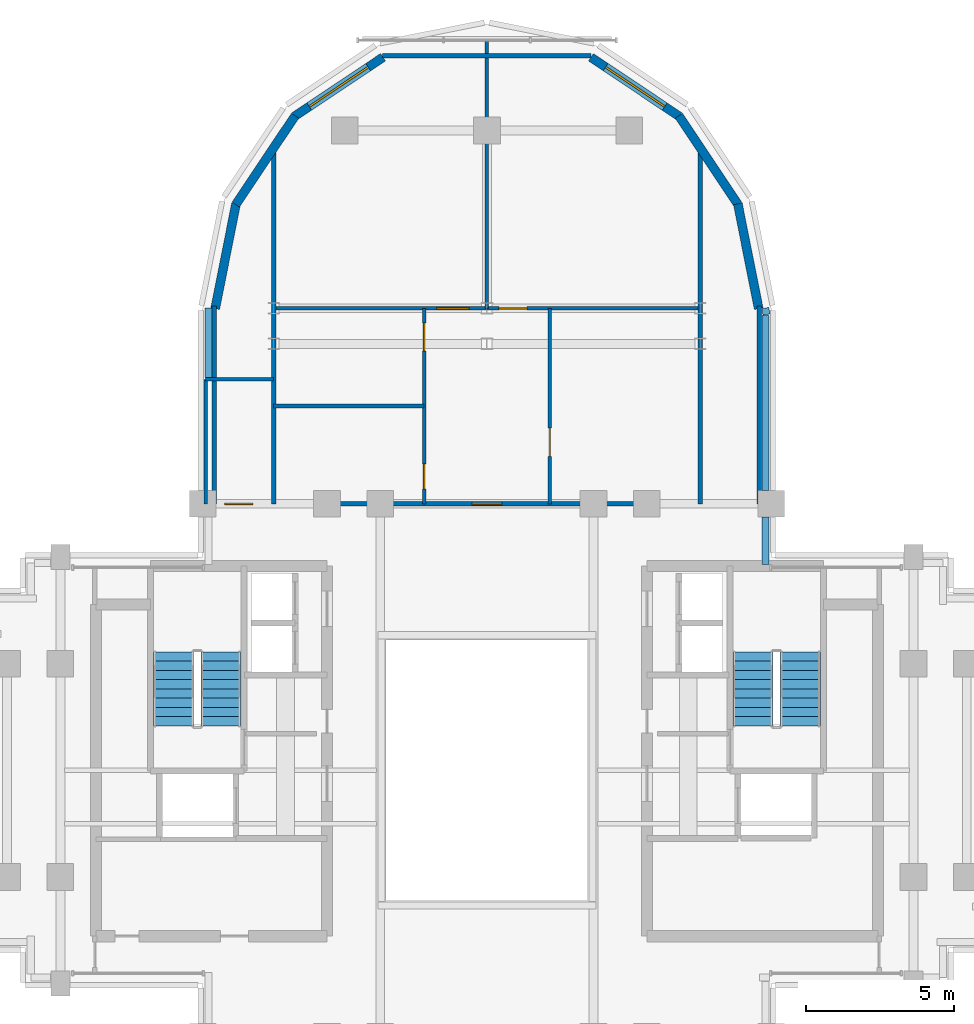
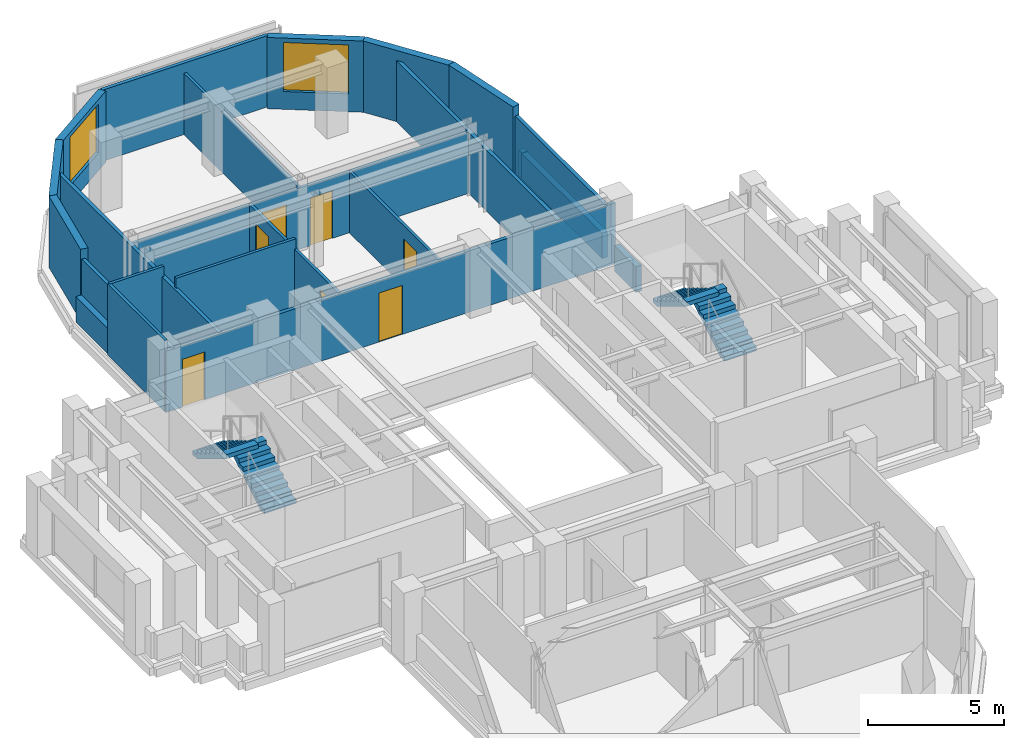
# One storey, part 8 of 11: 23 walls, 7 doors, 4 stair flights, 2 windows, 9 openings, 2 elements without a shape of their own.
"""IFC4 building model written with IfcOpenShell, lengths in metres."""

from ifc_helpers import new_model, si_unit, direction, frame, frame_2d, origin, place, context, subcontext, project, spatial, polyline, rectangle, outline, extrude, source, transform, mapped, material, layer, layer_set, type_object, element, fill, aggregate, save


model = new_model("IFC4")

# Units and contexts
model_context = context("Model", 3, precision=1e-05, world=origin(), true_north=direction((0.0, 1.0)))
body_context = subcontext(model_context, "Body", "Model", "MODEL_VIEW")
ifc_project = project(units=[si_unit("LENGTHUNIT", "METRE"), si_unit("AREAUNIT", "SQUARE_METRE"), si_unit("VOLUMEUNIT", "CUBIC_METRE"), si_unit("PLANEANGLEUNIT", "RADIAN"), si_unit("MASSUNIT", "GRAM", prefix="KILO")], contexts=[model_context])

# Site, building, storey
site_placement = place(None, origin())
site = spatial("IfcSite", under=ifc_project, at=site_placement, CompositionType="ELEMENT")
building_placement = place(site_placement, origin())
building = spatial("IfcBuilding", under=site, at=building_placement, Name="Keilestroom Media Tower", CompositionType="ELEMENT")
storey_placement = place(building_placement, frame((0.0, 0.0, 208.0)))
storey = spatial("IfcBuildingStorey", under=building, at=storey_placement, Name="L57", CompositionType="ELEMENT", Elevation=208.0)

# Walls
ifc_material_1 = material(Name="Precast concrete C40/50", Category="concrete")
ifc_layer_1 = layer(ifc_material_1, 0.300048828125)
ifc_layer_set_1 = layer_set([ifc_layer_1], Name="Precast concrete C40/50")
wall_type_1 = type_object("IfcWallType", Name="Exterior-Masonry-Spandrel-Wall-300", PredefinedType="SOLIDWALL", material=ifc_layer_set_1)
for number, where, z_axis, x_axis, name in (
    (1, (9.1748046875, 15.585205078125, 0.0), (0.0, 0.0, 1.0), (-0.195114232679, 0.980780523974, 0.0), "L57 Lobe Facet Precast Frame Wall 01"),
    (2, (8.48193359375, 19.097412109375, 0.0), (0.0, 0.0, 1.0), (-0.555574187116, 0.831466970246, 0.0), "L57 Lobe Facet Precast Frame Wall 02"),
):
    element("IfcWall", number, at=place(storey_placement, frame(where, z_axis=z_axis, x_axis=x_axis)), inside=storey, type_object=wall_type_1, Name=name, PredefinedType="SOLIDWALL", context=body_context, shape_type="SweptSolid", body=[
        extrude(rectangle(XDim=3.608642578125, YDim=0.300048828125, at=frame_2d((1.80419921875, 0.0))), origin(), (0.0, 0.0, 1.0), 3.199951171875),
    ])

# Wall, opening, window
wall_1_placement = place(storey_placement, frame((6.497802734375, 22.0771484375, 0.0), z_axis=(0.0, 0.0, 1.0), x_axis=(-0.8314749531, 0.555562239868, 0.0)))
wall_1 = element("IfcWall", 3, at=wall_1_placement, inside=storey, type_object=wall_type_1, Name="L57 Lobe Facet Precast Frame Wall 03", PredefinedType="SOLIDWALL", context=body_context, shape_type="SweptSolid", body=[
    extrude(rectangle(XDim=3.59326171875, YDim=0.300048828125, at=frame_2d((1.796630859375, 0.0))), origin(), (0.0, 0.0, 1.0), 3.199951171875),
])
opening_1_placement = place(wall_1_placement, frame((0.596923828125, 0.0, 0.800048828125)))
opening_1 = element("IfcOpeningElement", 4, at=opening_1_placement, cuts=wall_1, Name="Opening WN-02", PredefinedType="OPENING", context=body_context, shape_type="SweptSolid", body=[
    extrude(rectangle(XDim=2.39990234375, YDim=2.199951171875, at=frame_2d((1.199951171875, 1.10009765625))), frame((0.0, 0.16015625, 0.0), z_axis=(0.0, -1.0, 0.0), x_axis=(1.0, 0.0, 0.0)), (0.0, 0.0, 1.0), 0.320068359375),
])
ifc_material_2 = material(Name="Triple Glazed Low-E Window Unit", Category="glass")
window_type = type_object("IfcWindowType", Name="Recessed-Punched-Window-WN-02", PartitioningType="DOUBLE_PANEL_VERTICAL", PredefinedType="WINDOW", material=ifc_material_2)
shared_shape_1 = source(origin(), body_context, "Body", "SweptSolid", [
    extrude(rectangle(XDim=2.39990234375, YDim=2.199951171875, at=frame_2d((1.199951171875, 1.10009765625))), frame((0.0, 0.030029296875, 0.0), z_axis=(0.0, -1.0, 0.0), x_axis=(1.0, 0.0, 0.0)), (0.0, 0.0, 1.0), 0.06005859375),
])
window_1_placement = place(opening_1_placement, origin())
window_1 = element("IfcWindow", 5, at=window_1_placement, inside=storey, type_object=window_type, Name="L57 Bedroom Lobe Window WN-02 EWL-L57-LCHK-03", OverallHeight=2.199951171875, OverallWidth=2.39990234375, PartitioningType="SINGLE_PANEL", PredefinedType="WINDOW", context=body_context, shape_type="MappedRepresentation", body=[
    mapped(shared_shape_1, transform((0.0, 0.0, 0.0), x_axis=(1.0, 0.0, 0.0), y_axis=(0.0, 1.0, 0.0), z_axis=(0.0, 0.0, 1.0), scale=1.0)),
])
fill(opening_1, window_1)

wall_2_placement = place(storey_placement, frame((-3.510009765625, 24.073486328125, 0.0), z_axis=(0.0, 0.0, 1.0), x_axis=(-0.8314749531, -0.555562239868, 0.0)))
wall_2 = element("IfcWall", 6, at=wall_2_placement, inside=storey, type_object=wall_type_1, Name="L57 Lobe Facet Precast Frame Wall 04", PredefinedType="SOLIDWALL", context=body_context, shape_type="SweptSolid", body=[
    extrude(rectangle(XDim=3.59326171875, YDim=0.300048828125, at=frame_2d((1.796630859375, 0.0))), origin(), (0.0, 0.0, 1.0), 3.199951171875),
])
opening_2_placement = place(wall_2_placement, frame((0.596923828125, 0.0, 0.800048828125)))
opening_2 = element("IfcOpeningElement", 7, at=opening_2_placement, cuts=wall_2, Name="Opening WN-02", PredefinedType="OPENING", context=body_context, shape_type="SweptSolid", body=[
    extrude(rectangle(XDim=2.39990234375, YDim=2.199951171875, at=frame_2d((1.199951171875, 1.10009765625))), frame((0.0, 0.16015625, 0.0), z_axis=(0.0, -1.0, 0.0), x_axis=(1.0, 0.0, 0.0)), (0.0, 0.0, 1.0), 0.320068359375),
])
window_2_placement = place(opening_2_placement, origin())
window_2 = element("IfcWindow", 8, at=window_2_placement, inside=storey, type_object=window_type, Name="L57 Bedroom Lobe Window WN-02 EWL-L57-LCHK-04", OverallHeight=2.199951171875, OverallWidth=2.39990234375, PartitioningType="SINGLE_PANEL", PredefinedType="WINDOW", context=body_context, shape_type="MappedRepresentation", body=[
    mapped(shared_shape_1, transform((0.0, 0.0, 0.0), x_axis=(1.0, 0.0, 0.0), y_axis=(0.0, 1.0, 0.0), z_axis=(0.0, 0.0, 1.0), scale=1.0)),
])
fill(opening_2, window_2)

# Walls
for number, where, z_axis, x_axis, name in (
    (9, (-6.47705078125, 22.097900390625, 0.0), (0.0, 0.0, 1.0), (-0.555574187116, -0.831466970246, 0.0), "L57 Lobe Facet Precast Frame Wall 05"),
    (10, (-8.470703125, 19.12451171875, 0.0), (0.0, 0.0, 1.0), (-0.195114232679, -0.980780523974, 0.0), "L57 Lobe Facet Precast Frame Wall 06"),
):
    element("IfcWall", number, at=place(storey_placement, frame(where, z_axis=z_axis, x_axis=x_axis)), inside=storey, type_object=wall_type_1, Name=name, PredefinedType="SOLIDWALL", context=body_context, shape_type="SweptSolid", body=[
        extrude(rectangle(XDim=3.608642578125, YDim=0.300048828125, at=frame_2d((1.80419921875, 0.0))), origin(), (0.0, 0.0, 1.0), 3.199951171875),
    ])

# Wall, openings, doors
ifc_material_3 = material(Name="Gypsum Plasterboard & Steel Stud", Category="steel")
ifc_layer_2 = layer(ifc_material_3, 0.1201171875)
ifc_layer_set_2 = layer_set([ifc_layer_2], Name="Gypsum Plasterboard & Steel Stud")
wall_type_2 = type_object("IfcWallType", Name="Interior-Partition-Wall-120", PredefinedType="PARTITIONING", material=ifc_layer_set_2)
wall_3_placement = place(storey_placement, frame((-2.1201171875, 9.0, 0.0), z_axis=(0.0, 0.0, 1.0), x_axis=(0.0, 1.0, 0.0)))
wall_3 = element("IfcWall", 11, at=wall_3_placement, inside=storey, type_object=wall_type_2, Name="L57 Interior Wall WP-L57-FW-N-HW", PredefinedType="PARTITIONING", context=body_context, shape_type="SweptSolid", body=[
    extrude(rectangle(XDim=6.60009765625, YDim=0.1201171875, at=frame_2d((3.300048828125, 0.0))), origin(), (0.0, 0.0, 1.0), 2.75),
])
opening_3_placement = place(wall_3_placement, frame((0.5, 0.0, 0.0)))
opening_3 = element("IfcOpeningElement", 12, at=opening_3_placement, cuts=wall_3, Name="Opening DI-05", PredefinedType="OPENING", context=body_context, shape_type="SweptSolid", body=[
    extrude(rectangle(XDim=0.85009765625, YDim=2.10009765625, at=frame_2d((0.425048828125, 1.050048828125))), frame((0.0, 0.070068359375, 0.0), z_axis=(0.0, -1.0, 0.0), x_axis=(1.0, 0.0, 0.0)), (0.0, 0.0, 1.0), 0.14013671875),
])
opening_4_placement = place(wall_3_placement, frame((5.14990234375, 0.0, 0.0)))
opening_4 = element("IfcOpeningElement", 13, at=opening_4_placement, cuts=wall_3, Name="Opening DI-03", PredefinedType="OPENING", context=body_context, shape_type="SweptSolid", body=[
    extrude(rectangle(XDim=0.949951171875, YDim=2.14990234375, at=frame_2d((0.47509765625, 1.074951171875))), frame((0.0, 0.070068359375, 0.0), z_axis=(0.0, -1.0, 0.0), x_axis=(1.0, 0.0, 0.0)), (0.0, 0.0, 1.0), 0.14013671875),
])
ifc_material_4 = material(Name="Lacquered European Oak Leaf", Category="wood")
door_type_1 = type_object("IfcDoorType", Name="Interior-Room-And-Suite-Door-DI-03", OperationType="NOTDEFINED", PredefinedType="DOOR", material=ifc_material_4)
shared_shape_2 = source(origin(), body_context, "Body", "SweptSolid", [
    extrude(rectangle(XDim=0.949951171875, YDim=2.14990234375, at=frame_2d((0.47509765625, 1.074951171875))), frame((0.0, 0.02490234375, 0.0), z_axis=(0.0, -1.0, 0.0), x_axis=(1.0, 0.0, 0.0)), (0.0, 0.0, 1.0), 0.050048828125),
])
door_1_placement = place(opening_4_placement, origin())
door_1 = element("IfcDoor", 14, at=door_1_placement, inside=storey, type_object=door_type_1, Name="L57 Interior Door DI-L57-DFBD2-N", OperationType="SINGLE_SWING_LEFT", OverallHeight=2.14990234375, OverallWidth=0.949951171875, PredefinedType="DOOR", context=body_context, shape_type="MappedRepresentation", body=[
    mapped(shared_shape_2, transform((0.0, 0.0, 0.0), x_axis=(1.0, 0.0, 0.0), y_axis=(0.0, 1.0, 0.0), z_axis=(0.0, 0.0, 1.0), scale=1.0)),
])
fill(opening_4, door_1)
ifc_material_5 = material(Name="Moisture-Resistant Oak Leaf", Category="wood")
door_type_2 = type_object("IfcDoorType", Name="Interior-En-Suite-And-Cupboard-Door-DI-05", OperationType="NOTDEFINED", PredefinedType="DOOR", material=ifc_material_5)
shared_shape_3 = source(origin(), body_context, "Body", "SweptSolid", [
    extrude(rectangle(XDim=0.85009765625, YDim=2.10009765625, at=frame_2d((0.425048828125, 1.050048828125))), frame((0.0, 0.02490234375, 0.0), z_axis=(0.0, -1.0, 0.0), x_axis=(1.0, 0.0, 0.0)), (0.0, 0.0, 1.0), 0.050048828125),
])
door_2_placement = place(opening_3_placement, origin())
door_2 = element("IfcDoor", 15, at=door_2_placement, inside=storey, type_object=door_type_2, Name="L57 Interior Door DI-L57-DFBTH-N", OperationType="SINGLE_SWING_RIGHT", OverallHeight=2.10009765625, OverallWidth=0.85009765625, PredefinedType="DOOR", context=body_context, shape_type="MappedRepresentation", body=[
    mapped(shared_shape_3, transform((0.0, 0.0, 0.0), x_axis=(1.0, 0.0, 0.0), y_axis=(0.0, 1.0, 0.0), z_axis=(0.0, 0.0, 1.0), scale=1.0)),
])
fill(opening_3, door_2)

# Wall
wall_4_placement = place(storey_placement, frame((-7.199951171875, 12.300048828125, 0.0), z_axis=(0.0, 0.0, 1.0), x_axis=(1.0, 0.0, 0.0)))
element("IfcWall", 16, at=wall_4_placement, inside=storey, type_object=wall_type_2, Name="L57 Interior Wall WP-L57-FW-N-HB", PredefinedType="PARTITIONING", context=body_context, shape_type="SweptSolid", body=[
    extrude(rectangle(XDim=5.079833984375, YDim=0.1201171875, at=frame_2d((2.5400390625, 0.0))), origin(), (0.0, 0.0, 1.0), 3.199951171875),
])

# Wall, opening, door
wall_5_placement = place(storey_placement, frame((2.1201171875, 9.0, 0.0), z_axis=(0.0, 0.0, 1.0), x_axis=(0.0, 1.0, 0.0)))
wall_5 = element("IfcWall", 17, at=wall_5_placement, inside=storey, type_object=wall_type_2, Name="L57 Interior Wall WP-L57-FW-N-HE", PredefinedType="PARTITIONING", context=body_context, shape_type="SweptSolid", body=[
    extrude(rectangle(XDim=6.60009765625, YDim=0.1201171875, at=frame_2d((3.300048828125, 0.0))), origin(), (0.0, 0.0, 1.0), 2.75),
])
opening_5_placement = place(wall_5_placement, frame((1.60009765625, 0.0, 0.0)))
opening_5 = element("IfcOpeningElement", 18, at=opening_5_placement, cuts=wall_5, Name="Opening DI-03", PredefinedType="OPENING", context=body_context, shape_type="SweptSolid", body=[
    extrude(rectangle(XDim=0.949951171875, YDim=2.14990234375, at=frame_2d((0.47509765625, 1.074951171875))), frame((0.0, 0.070068359375, 0.0), z_axis=(0.0, -1.0, 0.0), x_axis=(1.0, 0.0, 0.0)), (0.0, 0.0, 1.0), 0.14013671875),
])
door_3_placement = place(opening_5_placement, origin())
door_3 = element("IfcDoor", 19, at=door_3_placement, inside=storey, type_object=door_type_1, Name="L57 Interior Door DI-L57-DFKIT-N", OperationType="SINGLE_SWING_RIGHT", OverallHeight=2.14990234375, OverallWidth=0.949951171875, PredefinedType="DOOR", context=body_context, shape_type="MappedRepresentation", body=[
    mapped(shared_shape_2, transform((0.0, 0.0, 0.0), x_axis=(1.0, 0.0, 0.0), y_axis=(0.0, 1.0, 0.0), z_axis=(0.0, 0.0, 1.0), scale=1.0)),
])
fill(opening_5, door_3)

# Wall, openings, doors
wall_6_placement = place(storey_placement, frame((-7.199951171875, 15.60009765625, 0.0), z_axis=(0.0, 0.0, 1.0), x_axis=(1.0, 0.0, 0.0)))
wall_6 = element("IfcWall", 20, at=wall_6_placement, inside=storey, type_object=wall_type_2, Name="L57 Interior Wall WP-L57-FW-N-MID", PredefinedType="PARTITIONING", context=body_context, shape_type="SweptSolid", body=[
    extrude(rectangle(XDim=14.39990234375, YDim=0.1201171875, at=frame_2d((7.199951171875, 0.0))), origin(), (0.0, 0.0, 1.0), 2.75),
])
opening_6_placement = place(wall_6_placement, frame((5.5, 0.0, 0.0)))
opening_6 = element("IfcOpeningElement", 21, at=opening_6_placement, cuts=wall_6, Name="Opening DI-04", PredefinedType="OPENING", context=body_context, shape_type="SweptSolid", body=[
    extrude(rectangle(XDim=1.10009765625, YDim=2.199951171875, at=frame_2d((0.550048828125, 1.10009765625))), frame((0.0, 0.070068359375, 0.0), z_axis=(0.0, -1.0, 0.0), x_axis=(1.0, 0.0, 0.0)), (0.0, 0.0, 1.0), 0.14013671875),
])
opening_7_placement = place(wall_6_placement, frame((7.60009765625, 0.0, 0.0)))
opening_7 = element("IfcOpeningElement", 22, at=opening_7_placement, cuts=wall_6, Name="Opening DI-03", PredefinedType="OPENING", context=body_context, shape_type="SweptSolid", body=[
    extrude(rectangle(XDim=0.949951171875, YDim=2.14990234375, at=frame_2d((0.47509765625, 1.074951171875))), frame((0.0, 0.070068359375, 0.0), z_axis=(0.0, -1.0, 0.0), x_axis=(1.0, 0.0, 0.0)), (0.0, 0.0, 1.0), 0.14013671875),
])
door_4_placement = place(opening_7_placement, origin())
door_4 = element("IfcDoor", 23, at=door_4_placement, inside=storey, type_object=door_type_1, Name="L57 Interior Door DI-L57-DFBD1-N", OperationType="SINGLE_SWING_RIGHT", OverallHeight=2.14990234375, OverallWidth=0.949951171875, PredefinedType="DOOR", context=body_context, shape_type="MappedRepresentation", body=[
    mapped(shared_shape_2, transform((0.0, 0.0, 0.0), x_axis=(1.0, 0.0, 0.0), y_axis=(0.0, 1.0, 0.0), z_axis=(0.0, 0.0, 1.0), scale=1.0)),
])
fill(opening_7, door_4)
ifc_material_6 = material(Name="Acoustic Glazed Aluminium Leaf", Category="aluminium")
door_type_3 = type_object("IfcDoorType", Name="Interior-Room-And-Suite-Door-DI-04", OperationType="NOTDEFINED", PredefinedType="DOOR", material=ifc_material_6)
shared_shape_4 = source(origin(), body_context, "Body", "SweptSolid", [
    extrude(rectangle(XDim=1.10009765625, YDim=2.199951171875, at=frame_2d((0.550048828125, 1.10009765625))), frame((0.0, 0.02490234375, 0.0), z_axis=(0.0, -1.0, 0.0), x_axis=(1.0, 0.0, 0.0)), (0.0, 0.0, 1.0), 0.050048828125),
])
door_5_placement = place(opening_6_placement, origin())
door_5 = element("IfcDoor", 24, at=door_5_placement, inside=storey, type_object=door_type_3, Name="L57 Interior Door DI-L57-DFLIV-N", OperationType="SINGLE_SWING_LEFT", OverallHeight=2.199951171875, OverallWidth=1.10009765625, PredefinedType="DOOR", context=body_context, shape_type="MappedRepresentation", body=[
    mapped(shared_shape_4, transform((0.0, 0.0, 0.0), x_axis=(1.0, 0.0, 0.0), y_axis=(0.0, 1.0, 0.0), z_axis=(0.0, 0.0, 1.0), scale=1.0)),
])
fill(opening_6, door_5)

# Walls
wall_7_placement = place(storey_placement, frame((0.0, 15.60009765625, 0.0), z_axis=(0.0, 0.0, 1.0), x_axis=(0.0, 1.0, 0.0)))
element("IfcWall", 25, at=wall_7_placement, inside=storey, type_object=wall_type_2, Name="L57 Interior Wall WP-L57-FW-N-SP", PredefinedType="PARTITIONING", context=body_context, shape_type="SweptSolid", body=[
    extrude(rectangle(XDim=9.0498046875, YDim=0.1201171875, at=frame_2d((4.52490234375, 0.0))), origin(), (0.0, 0.0, 1.0), 2.75),
])
wall_8_placement = place(storey_placement, frame((-9.5, 13.199951171875, 0.0), z_axis=(0.0, 0.0, 1.0), x_axis=(1.0, 0.0, 0.0)))
element("IfcWall", 26, at=wall_8_placement, inside=storey, type_object=wall_type_2, Name="L57 Interior Wall WP-L57-RWC-NW-N", PredefinedType="PARTITIONING", context=body_context, shape_type="SweptSolid", body=[
    extrude(rectangle(XDim=2.300048828125, YDim=0.1201171875, at=frame_2d((1.14990234375, 0.0))), origin(), (0.0, 0.0, 1.0), 3.199951171875),
])
wall_9_placement = place(storey_placement, frame((-9.5, 9.0, 0.0), z_axis=(0.0, 0.0, 1.0), x_axis=(0.0, 1.0, 0.0)))
element("IfcWall", 27, at=wall_9_placement, inside=storey, type_object=wall_type_2, Name="L57 Interior Wall WP-L57-RWC-NW-W", PredefinedType="PARTITIONING", context=body_context, shape_type="SweptSolid", body=[
    extrude(rectangle(XDim=4.199951171875, YDim=0.1201171875, at=frame_2d((2.10009765625, 0.0))), origin(), (0.0, 0.0, 1.0), 3.199951171875),
])

# Wall, openings, doors
ifc_layer_3 = layer(ifc_material_3, 0.14990234375)
ifc_layer_set_3 = layer_set([ifc_layer_3], Name="Gypsum Plasterboard & Steel Stud")
wall_type_3 = type_object("IfcWallType", Name="Interior-Partition-Wall-150", PredefinedType="PARTITIONING", material=ifc_layer_set_3)
wall_10_placement = place(storey_placement, frame((-9.550048828125, 9.0, 0.0), z_axis=(0.0, 0.0, 1.0), x_axis=(1.0, 0.0, 0.0)))
wall_10 = element("IfcWall", 28, at=wall_10_placement, inside=storey, type_object=wall_type_3, Name="L57 Interior Wall WP-L57-FLT-N-ENTRY", PredefinedType="PARTITIONING", context=body_context, shape_type="SweptSolid", body=[
    extrude(rectangle(XDim=19.10009765625, YDim=0.14990234375, at=frame_2d((9.550048828125, 0.0))), origin(), (0.0, 0.0, 1.0), 2.75),
])
opening_8_placement = place(wall_10_placement, frame((0.699951171875, 0.0, 0.0)))
opening_8 = element("IfcOpeningElement", 29, at=opening_8_placement, cuts=wall_10, Name="Opening DI-03", PredefinedType="OPENING", context=body_context, shape_type="SweptSolid", body=[
    extrude(rectangle(XDim=0.949951171875, YDim=2.14990234375, at=frame_2d((0.47509765625, 1.074951171875))), frame((0.0, 0.0849609375, 0.0), z_axis=(0.0, -1.0, 0.0), x_axis=(1.0, 0.0, 0.0)), (0.0, 0.0, 1.0), 0.169921875),
])
opening_9_placement = place(wall_10_placement, frame((9.050048828125, 0.0, 0.0)))
opening_9 = element("IfcOpeningElement", 30, at=opening_9_placement, cuts=wall_10, Name="Opening DI-01", PredefinedType="OPENING", context=body_context, shape_type="SweptSolid", body=[
    extrude(rectangle(XDim=1.0, YDim=2.199951171875, at=frame_2d((0.5, 1.10009765625))), frame((0.0, 0.0849609375, 0.0), z_axis=(0.0, -1.0, 0.0), x_axis=(1.0, 0.0, 0.0)), (0.0, 0.0, 1.0), 0.169921875),
])
door_6_placement = place(opening_8_placement, origin())
door_6 = element("IfcDoor", 31, at=door_6_placement, inside=storey, type_object=door_type_1, Name="L57 Interior Door DI-L57-DRWC-NW", OperationType="SINGLE_SWING_RIGHT", OverallHeight=2.14990234375, OverallWidth=0.949951171875, PredefinedType="DOOR", context=body_context, shape_type="MappedRepresentation", body=[
    mapped(shared_shape_2, transform((0.0, 0.0, 0.0), x_axis=(1.0, 0.0, 0.0), y_axis=(0.0, 1.0, 0.0), z_axis=(0.0, 0.0, 1.0), scale=1.0)),
])
fill(opening_8, door_6)
ifc_material_7 = material(Name="Solid-Core Timber Acoustic Fire Leaf", Category="wood")
door_type_4 = type_object("IfcDoorType", Name="Interior-Apartment-Entrance-Door-DI-01", OperationType="NOTDEFINED", PredefinedType="DOOR", material=ifc_material_7)
shared_shape_5 = source(origin(), body_context, "Body", "SweptSolid", [
    extrude(rectangle(XDim=1.0, YDim=2.199951171875, at=frame_2d((0.5, 1.10009765625))), frame((0.0, 0.02490234375, 0.0), z_axis=(0.0, -1.0, 0.0), x_axis=(1.0, 0.0, 0.0)), (0.0, 0.0, 1.0), 0.050048828125),
])
door_7_placement = place(opening_9_placement, origin())
door_7 = element("IfcDoor", 32, at=door_7_placement, inside=storey, type_object=door_type_4, Name="L57 Interior Door DI-L57-DFENT-N", OperationType="SINGLE_SWING_LEFT", OverallHeight=2.199951171875, OverallWidth=1.0, PredefinedType="DOOR", context=body_context, shape_type="MappedRepresentation", body=[
    mapped(shared_shape_5, transform((0.0, 0.0, 0.0), x_axis=(1.0, 0.0, 0.0), y_axis=(0.0, 1.0, 0.0), z_axis=(0.0, 0.0, 1.0), scale=1.0)),
])
fill(opening_9, door_7)

# Walls
for number, where, z_axis, x_axis, name in (
    (33, (-9.199951171875, 9.0, 0.0), (0.0, 0.0, 1.0), (0.0, 1.0, 0.0), "L57 Interior Wall WP-L57-NL-CHKW"),
    (34, (9.199951171875, 9.0, 0.0), (0.0, 0.0, 1.0), (0.0, 1.0, 0.0), "L57 Interior Wall WP-L57-NL-CHKE"),
):
    element("IfcWall", number, at=place(storey_placement, frame(where, z_axis=z_axis, x_axis=x_axis)), inside=storey, type_object=wall_type_3, Name=name, PredefinedType="PARTITIONING", context=body_context, shape_type="SweptSolid", body=[
        extrude(rectangle(XDim=6.679931640625, YDim=0.14990234375, at=frame_2d((3.33984375, 0.0))), origin(), (0.0, 0.0, 1.0), 2.75),
    ])
for number, where, z_axis, x_axis, name in (
    (35, (-7.199951171875, 9.0, 0.0), (0.0, 0.0, 1.0), (0.0, 1.0, 0.0), "L57 Interior Wall WP-L57-FW-N-VL"),
    (36, (7.199951171875, 9.0, 0.0), (0.0, 0.0, 1.0), (0.0, 1.0, 0.0), "L57 Interior Wall WP-L57-FW-N-VR"),
):
    element("IfcWall", number, at=place(storey_placement, frame(where, z_axis=z_axis, x_axis=x_axis)), inside=storey, type_object=wall_type_3, Name=name, PredefinedType="PARTITIONING", context=body_context, shape_type="SweptSolid", body=[
        extrude(rectangle(XDim=12.02001953125, YDim=0.14990234375, at=frame_2d((6.010009765625, 0.0))), origin(), (0.0, 0.0, 1.0), 2.75),
    ])
wall_11_placement = place(storey_placement, frame((-3.52001953125, 24.1201171875, 0.0), z_axis=(0.0, 0.0, 1.0), x_axis=(1.0, 0.0, 0.0)))
element("IfcWall", 37, at=wall_11_placement, inside=storey, type_object=wall_type_3, Name="L57 Interior Wall WP-L57-FW-N-TIP", PredefinedType="PARTITIONING", context=body_context, shape_type="SweptSolid", body=[
    extrude(rectangle(XDim=7.0400390625, YDim=0.14990234375, at=frame_2d((3.52001953125, 0.0))), origin(), (0.0, 0.0, 1.0), 3.199951171875),
])
ifc_layer_4 = layer(ifc_material_1, 0.239990234375)
ifc_layer_set_4 = layer_set([ifc_layer_4], Name="Precast concrete C40/50")
wall_type_4 = type_object("IfcWallType", Name="Roof-And-Terrace-Parapet-Wall-240", PredefinedType="PARAPET", material=ifc_layer_set_4)
wall_12_placement = place(storey_placement, frame((-9.39990234375, 13.262939453125, 0.0), z_axis=(0.0, 0.0, 1.0), x_axis=(0.0, 1.0, 0.0)))
element("IfcWall", 38, at=wall_12_placement, inside=storey, type_object=wall_type_4, Name="L57 Perimeter Edge Parapet Wall 25", PredefinedType="PARAPET", context=body_context, shape_type="SweptSolid", body=[
    extrude(rectangle(XDim=2.33984375, YDim=0.239990234375, at=frame_2d((1.169921875, 0.0))), origin(), (0.0, 0.0, 1.0), 1.14990234375),
])
wall_13_placement = place(storey_placement, frame((9.395263671875, 15.604248046875, 0.0), z_axis=(0.0, 0.0, 1.0), x_axis=(0.194652052864, -0.980872355771, 0.0)))
element("IfcWall", 39, at=wall_13_placement, inside=storey, type_object=wall_type_4, Name="L57 Perimeter Edge Parapet Wall 26", PredefinedType="PARAPET", context=body_context, shape_type="SweptSolid", body=[
    extrude(rectangle(XDim=0.224609375, YDim=0.239990234375, at=frame_2d((0.1123046875, 0.0))), origin(), (0.0, 0.0, 1.0), 1.14990234375),
])
wall_14_placement = place(storey_placement, frame((9.39990234375, 15.357666015625, 0.0), z_axis=(0.0, 0.0, 1.0), x_axis=(0.0, -1.0, 0.0)))
element("IfcWall", 40, at=wall_14_placement, inside=storey, type_object=wall_type_4, Name="L57 Perimeter Edge Parapet Wall 27", PredefinedType="PARAPET", context=body_context, shape_type="SweptSolid", body=[
    extrude(rectangle(XDim=5.90478515625, YDim=0.239990234375, at=frame_2d((2.952392578125, 0.0))), origin(), (0.0, 0.0, 1.0), 1.14990234375),
])
wall_15_placement = place(storey_placement, frame((9.39990234375, 8.547119140625, 0.0), z_axis=(0.0, 0.0, 1.0), x_axis=(0.0, -1.0, 0.0)))
element("IfcWall", 41, at=wall_15_placement, inside=storey, type_object=wall_type_4, Name="L57 Perimeter Edge Parapet Wall 28", PredefinedType="PARAPET", context=body_context, shape_type="SweptSolid", body=[
    extrude(rectangle(XDim=1.59423828125, YDim=0.239990234375, at=frame_2d((0.797119140625, 0.0))), origin(), (0.0, 0.0, 1.0), 1.14990234375),
])

# Stair, stair flights
ifc_material_8 = material(Name="Concrete C45/55", Category="concrete")
stair_type = type_object("IfcStairType", Name="Enclosed-Dog-Leg-Stair-ST-CORE", PredefinedType="HALF_TURN_STAIR", material=ifc_material_8)
stair_1_placement = place(storey_placement, origin())
stair_1 = element("IfcStair", 42, at=stair_1_placement, inside=storey, type_object=stair_type, Name="L57 West Core Escape Stair ST-1", PredefinedType="HALF_TURN_STAIR")
stair_flight_type = type_object("IfcStairFlightType", Name="Precast-Concrete-Stair-Flight-Core-160", PredefinedType="STRAIGHT", material=ifc_material_1)
stair_flight_1_placement = place(storey_placement, frame((-8.97998046875, 1.5, 0.0), z_axis=(0.0, 0.0, 1.0), x_axis=(0.0, 1.0, 0.0)))
stair_flight_1 = element("IfcStairFlight", 43, at=stair_flight_1_placement, type_object=stair_flight_type, Name="ST-1 flight 1", NumberOfRisers=9, NumberOfTreads=8, PredefinedType="STRAIGHT", RiserHeight=0.188888889, TreadLength=0.312, context=body_context, shape_type="SweptSolid", body=[
    extrude(outline(polyline([(0.0, 0.0), (0.0, 0.18896484375), (0.31201171875, 0.18896484375), (0.31201171875, 0.377685546875), (0.6240234375, 0.377685546875), (0.6240234375, 0.566650390625), (0.93603515625, 0.566650390625), (0.93603515625, 0.755615234375), (1.248046875, 0.755615234375), (1.248046875, 0.9443359375), (1.56005859375, 0.9443359375), (1.56005859375, 1.13330078125), (1.8720703125, 1.13330078125), (1.8720703125, 1.322265625), (2.18408203125, 1.322265625), (2.18408203125, 1.51123046875), (2.49609375, 1.51123046875), (2.49609375, 1.699951171875), (2.49609375, 1.32421875), (0.308837890625, 0.0), (0.0, 0.0)])), frame((0.0, 0.68017578125, 0.0), z_axis=(0.0, -1.0, 0.0), x_axis=(1.0, 0.0, 0.0)), (0.0, 0.0, 1.0), 1.360107421875),
])
stair_flight_2_placement = place(storey_placement, frame((-10.580078125, 3.99609375, 1.699951171875), z_axis=(0.0, 0.0, 1.0), x_axis=(0.0, -1.0, 0.0)))
stair_flight_2 = element("IfcStairFlight", 44, at=stair_flight_2_placement, type_object=stair_flight_type, Name="ST-1 flight 2", NumberOfRisers=9, NumberOfTreads=8, PredefinedType="STRAIGHT", RiserHeight=0.188888889, TreadLength=0.312, context=body_context, shape_type="SweptSolid", body=[
    extrude(outline(polyline([(0.0, 0.0), (0.0, 0.18896484375), (0.31201171875, 0.18896484375), (0.31201171875, 0.377685546875), (0.6240234375, 0.377685546875), (0.6240234375, 0.566650390625), (0.93603515625, 0.566650390625), (0.93603515625, 0.755615234375), (1.248046875, 0.755615234375), (1.248046875, 0.9443359375), (1.56005859375, 0.9443359375), (1.56005859375, 1.13330078125), (1.8720703125, 1.13330078125), (1.8720703125, 1.322265625), (2.18408203125, 1.322265625), (2.18408203125, 1.51123046875), (2.49609375, 1.51123046875), (2.49609375, 1.699951171875), (2.49609375, 1.32421875), (0.308837890625, 0.0), (0.0, 0.0)])), frame((0.0, 0.68017578125, 0.0), z_axis=(0.0, -1.0, 0.0), x_axis=(1.0, 0.0, 0.0)), (0.0, 0.0, 1.0), 1.360107421875),
])
aggregate(stair_1, [stair_flight_1, stair_flight_2])

stair_2_placement = place(storey_placement, origin())
stair_2 = element("IfcStair", 45, at=stair_2_placement, inside=storey, type_object=stair_type, Name="L57 East Core Escape Stair ST-2", PredefinedType="HALF_TURN_STAIR")
stair_flight_3_placement = place(storey_placement, frame((10.580078125, 1.5, 0.0), z_axis=(0.0, 0.0, 1.0), x_axis=(0.0, 1.0, 0.0)))
stair_flight_3 = element("IfcStairFlight", 46, at=stair_flight_3_placement, type_object=stair_flight_type, Name="ST-2 flight 1", NumberOfRisers=9, NumberOfTreads=8, PredefinedType="STRAIGHT", RiserHeight=0.188888889, TreadLength=0.312, context=body_context, shape_type="SweptSolid", body=[
    extrude(outline(polyline([(0.0, 0.0), (0.0, 0.18896484375), (0.31201171875, 0.18896484375), (0.31201171875, 0.377685546875), (0.6240234375, 0.377685546875), (0.6240234375, 0.566650390625), (0.93603515625, 0.566650390625), (0.93603515625, 0.755615234375), (1.248046875, 0.755615234375), (1.248046875, 0.9443359375), (1.56005859375, 0.9443359375), (1.56005859375, 1.13330078125), (1.8720703125, 1.13330078125), (1.8720703125, 1.322265625), (2.18408203125, 1.322265625), (2.18408203125, 1.51123046875), (2.49609375, 1.51123046875), (2.49609375, 1.699951171875), (2.49609375, 1.32421875), (0.308837890625, 0.0), (0.0, 0.0)])), frame((0.0, 0.68017578125, 0.0), z_axis=(0.0, -1.0, 0.0), x_axis=(1.0, 0.0, 0.0)), (0.0, 0.0, 1.0), 1.360107421875),
])
stair_flight_4_placement = place(storey_placement, frame((8.97998046875, 3.99609375, 1.699951171875), z_axis=(0.0, 0.0, 1.0), x_axis=(0.0, -1.0, 0.0)))
stair_flight_4 = element("IfcStairFlight", 47, at=stair_flight_4_placement, type_object=stair_flight_type, Name="ST-2 flight 2", NumberOfRisers=9, NumberOfTreads=8, PredefinedType="STRAIGHT", RiserHeight=0.188888889, TreadLength=0.312, context=body_context, shape_type="SweptSolid", body=[
    extrude(outline(polyline([(0.0, 0.0), (0.0, 0.18896484375), (0.31201171875, 0.18896484375), (0.31201171875, 0.377685546875), (0.6240234375, 0.377685546875), (0.6240234375, 0.566650390625), (0.93603515625, 0.566650390625), (0.93603515625, 0.755615234375), (1.248046875, 0.755615234375), (1.248046875, 0.9443359375), (1.56005859375, 0.9443359375), (1.56005859375, 1.13330078125), (1.8720703125, 1.13330078125), (1.8720703125, 1.322265625), (2.18408203125, 1.322265625), (2.18408203125, 1.51123046875), (2.49609375, 1.51123046875), (2.49609375, 1.699951171875), (2.49609375, 1.32421875), (0.308837890625, 0.0), (0.0, 0.0)])), frame((0.0, 0.68017578125, 0.0), z_axis=(0.0, -1.0, 0.0), x_axis=(1.0, 0.0, 0.0)), (0.0, 0.0, 1.0), 1.360107421875),
])
aggregate(stair_2, [stair_flight_3, stair_flight_4])

save(model, "model.ifc")
